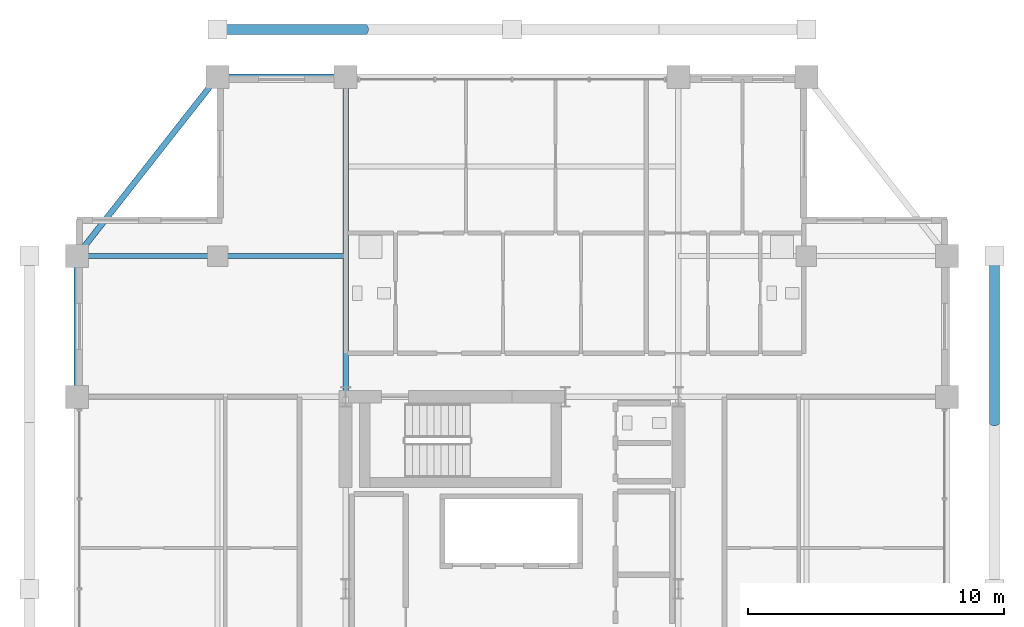
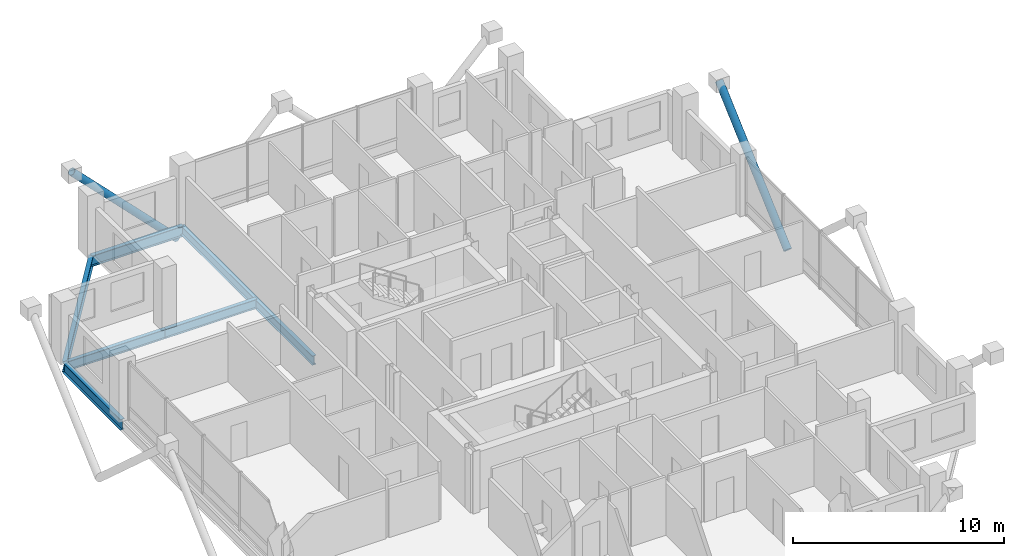
# One storey, part 13 of 24: 6 beams, 2 members.
"""IFC4 building model written with IfcOpenShell, lengths in metres."""

from ifc_helpers import new_model, si_unit, direction, frame, origin, origin_2d, place, context, subcontext, project, spatial, hollow_circle, i_section, extrude, material, material_profile, profile_set, type_object, element, save


model = new_model("IFC4")

# Units and contexts
model_context = context("Model", 3, precision=1e-05, world=origin(), true_north=direction((0.0, 1.0)))
body_context = subcontext(model_context, "Body", "Model", "MODEL_VIEW")
ifc_project = project(units=[si_unit("LENGTHUNIT", "METRE"), si_unit("AREAUNIT", "SQUARE_METRE"), si_unit("VOLUMEUNIT", "CUBIC_METRE"), si_unit("PLANEANGLEUNIT", "RADIAN"), si_unit("MASSUNIT", "GRAM", prefix="KILO")], contexts=[model_context])

# Site, building, storey
site_placement = place(None, origin())
site = spatial("IfcSite", under=ifc_project, at=site_placement, CompositionType="ELEMENT")
building_placement = place(site_placement, origin())
building = spatial("IfcBuilding", under=site, at=building_placement, Name="Barlavira Tower and Art Museum", CompositionType="ELEMENT")
storey_placement = place(building_placement, frame((0.0, 0.0, 225.89990234375)))
storey = spatial("IfcBuildingStorey", under=building, at=storey_placement, Name="L58", CompositionType="ELEMENT", Elevation=225.89990234375)

# Members
ifc_material = material(Name="Steel S355", Category="steel")
ifc_material_profile_1 = material_profile(ifc_material, hollow_circle(Radius=0.203125, WallThickness=0.01611328125, at=origin_2d()), Name="CHS 406.4x16.0")
ifc_profile_set_1 = profile_set([ifc_material_profile_1], Name="Steel S355")
member_type = type_object("IfcMemberType", Name="Pale-Metal Exoskeleton Diagrid Tube CHS 406x16 Steel S355", PredefinedType="BRACE", material=ifc_profile_set_1)
member_1_placement = place(storey_placement, frame((-5.75, 21.85009765625, -2.369873046875), z_axis=(-0.700993913973, 0.0, 0.713167254276), x_axis=(0.0, -1.0, 0.0)))
element("IfcMember", 1, at=member_1_placement, inside=storey, type_object=member_type, Name="L58 Exoskeleton Diagrid Tube N", PredefinedType="BRACE", context=body_context, shape_type="SweptSolid", body=[
    extrude(hollow_circle(Radius=0.203125, WallThickness=0.01611328125, at=origin_2d()), origin(), (0.0, 0.0, 1.0), 8.20263671875),
])
member_2_placement = place(storey_placement, frame((18.85009765625, 6.5, -2.369873046875), z_axis=(0.0, 0.74330247547, 0.668955476815), x_axis=(-1.0, 0.0, 0.0)))
element("IfcMember", 2, at=member_2_placement, inside=storey, type_object=member_type, Name="L58 Exoskeleton Diagrid Tube E", PredefinedType="BRACE", context=body_context, shape_type="SweptSolid", body=[
    extrude(hollow_circle(Radius=0.203125, WallThickness=0.01611328125, at=origin_2d()), origin(), (0.0, 0.0, 1.0), 8.744873046875),
])

# Beams
ifc_material_profile_2 = material_profile(ifc_material, i_section(OverallWidth=0.22998046875, OverallDepth=0.616943359375, WebThickness=0.01318359375, FlangeThickness=0.022216796875, at=origin_2d()), Name="W610x140.0")
ifc_profile_set_2 = profile_set([ifc_material_profile_2], Name="Steel S355")
beam_type_1 = type_object("IfcBeamType", Name="Upper Shaft Spandrel Edge Beam W610x140 Steel S355", PredefinedType="SPANDREL", material=ifc_profile_set_2)
beam_1_placement = place(storey_placement, frame((-11.5, 20.0, -0.5283203125), z_axis=(1.0, 0.0, 0.0), x_axis=(0.0, 1.0, 0.0)))
element("IfcBeam", 3, at=beam_1_placement, inside=storey, type_object=beam_type_1, Name="L58 Spandrel 11", PredefinedType="SPANDREL", context=body_context, shape_type="SweptSolid", body=[
    extrude(i_section(OverallWidth=0.22998046875, OverallDepth=0.616943359375, WebThickness=0.01318359375, FlangeThickness=0.022216796875, at=origin_2d()), origin(), (0.0, 0.0, 1.0), 5.0),
])
beam_2_placement = place(storey_placement, frame((-11.5, 20.0, -0.5283203125), z_axis=(-0.617821551932, -0.786318338822, 0.0), x_axis=(0.786318338822, -0.617821551932, 0.0)))
element("IfcBeam", 4, at=beam_2_placement, inside=storey, type_object=beam_type_1, Name="L58 Spandrel 12", PredefinedType="SPANDREL", context=body_context, shape_type="SweptSolid", body=[
    extrude(i_section(OverallWidth=0.22998046875, OverallDepth=0.616943359375, WebThickness=0.01318359375, FlangeThickness=0.022216796875, at=origin_2d()), origin(), (0.0, 0.0, 1.0), 8.90234375),
])
beam_3_placement = place(storey_placement, frame((-17.0, 7.5, -0.5283203125), z_axis=(0.0, 1.0, 0.0), x_axis=(-1.0, 0.0, 0.0)))
element("IfcBeam", 5, at=beam_3_placement, inside=storey, type_object=beam_type_1, Name="L58 Spandrel 13", PredefinedType="SPANDREL", context=body_context, shape_type="SweptSolid", body=[
    extrude(i_section(OverallWidth=0.22998046875, OverallDepth=0.616943359375, WebThickness=0.01318359375, FlangeThickness=0.022216796875, at=origin_2d()), origin(), (0.0, 0.0, 1.0), 5.5),
])
ifc_material_profile_3 = material_profile(ifc_material, i_section(OverallWidth=0.2109375, OverallDepth=0.5390625, WebThickness=0.01171875, FlangeThickness=0.018798828125, at=origin_2d()), Name="W530x109.0")
ifc_profile_set_3 = profile_set([ifc_material_profile_3], Name="Steel S355")
beam_type_2 = type_object("IfcBeamType", Name="Zone 3-4 Primary Floor Girder W530x109 Steel S355", PredefinedType="BEAM", material=ifc_profile_set_3)
beam_4_placement = place(storey_placement, frame((-6.5, 7.5, -0.489501953125), z_axis=(0.0, 1.0, 0.0), x_axis=(-1.0, 0.0, 0.0)))
element("IfcBeam", 6, at=beam_4_placement, inside=storey, type_object=beam_type_2, Name="L58 Girder R-N1", PredefinedType="BEAM", context=body_context, shape_type="SweptSolid", body=[
    extrude(i_section(OverallWidth=0.2109375, OverallDepth=0.5390625, WebThickness=0.01171875, FlangeThickness=0.018798828125, at=origin_2d()), origin(), (0.0, 0.0, 1.0), 12.5),
])
beam_5_placement = place(storey_placement, frame((-17.0, 13.0, -0.489501953125), z_axis=(1.0, 0.0, 0.0), x_axis=(0.0, 1.0, 0.0)))
element("IfcBeam", 7, at=beam_5_placement, inside=storey, type_object=beam_type_2, Name="L58 Girder I-N1", PredefinedType="BEAM", context=body_context, shape_type="SweptSolid", body=[
    extrude(i_section(OverallWidth=0.2109375, OverallDepth=0.5390625, WebThickness=0.01171875, FlangeThickness=0.018798828125, at=origin_2d()), origin(), (0.0, 0.0, 1.0), 5.5),
])
beam_6_placement = place(storey_placement, frame((-11.5, 13.0, -0.489501953125), z_axis=(1.0, 0.0, 0.0), x_axis=(0.0, 1.0, 0.0)))
element("IfcBeam", 8, at=beam_6_placement, inside=storey, type_object=beam_type_2, Name="L58 Girder I-N2", PredefinedType="BEAM", context=body_context, shape_type="SweptSolid", body=[
    extrude(i_section(OverallWidth=0.2109375, OverallDepth=0.5390625, WebThickness=0.01171875, FlangeThickness=0.018798828125, at=origin_2d()), origin(), (0.0, 0.0, 1.0), 5.0),
])

save(model, "model.ifc")
